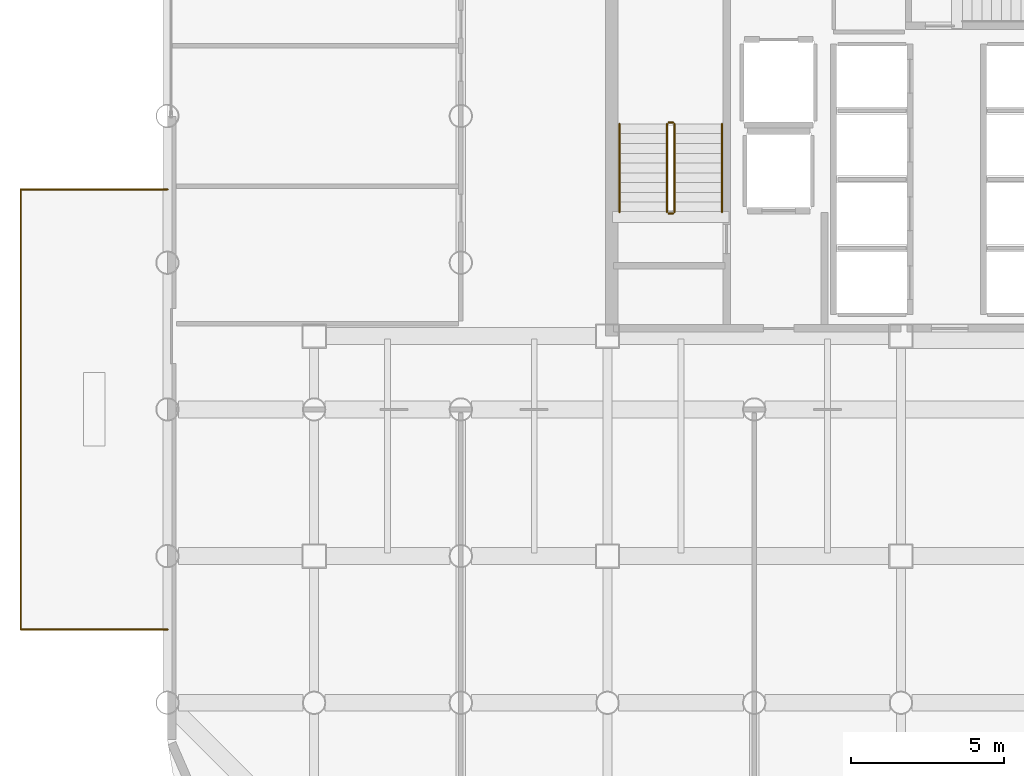
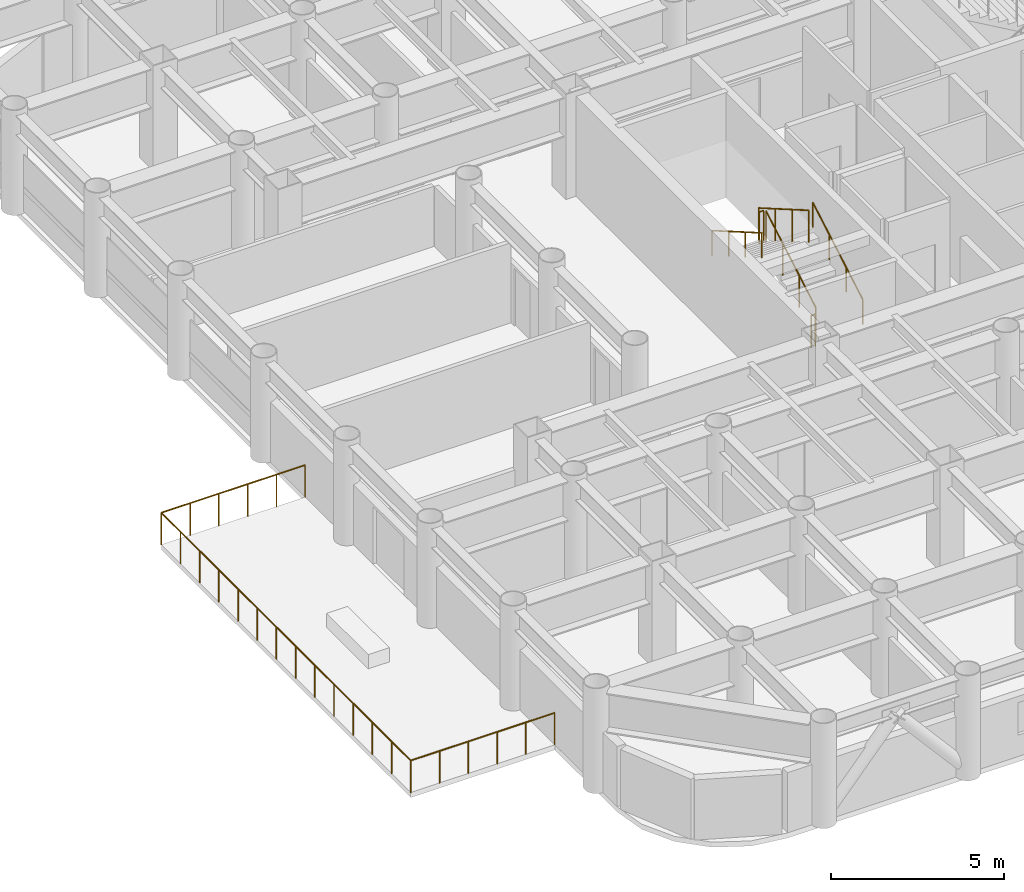
# One storey, part 21 of 22: 9 railings.
"""IFC4 building model written with IfcOpenShell, lengths in metres."""

from ifc_helpers import new_model, si_unit, direction, frame, origin, origin_2d, place, context, subcontext, project, spatial, circle, extrude, material, layer, layer_set, type_object, element, save


model = new_model("IFC4")

# Units and contexts
model_context = context("Model", 3, precision=1e-05, world=origin(), true_north=direction((0.0, 1.0)))
body_context = subcontext(model_context, "Body", "Model", "MODEL_VIEW")
ifc_project = project(units=[si_unit("LENGTHUNIT", "METRE"), si_unit("AREAUNIT", "SQUARE_METRE"), si_unit("VOLUMEUNIT", "CUBIC_METRE"), si_unit("PLANEANGLEUNIT", "RADIAN"), si_unit("MASSUNIT", "GRAM", prefix="KILO")], contexts=[model_context])

# Site, building, storey
site_placement = place(None, origin())
site = spatial("IfcSite", under=ifc_project, at=site_placement, CompositionType="ELEMENT")
building_placement = place(site_placement, origin())
building = spatial("IfcBuilding", under=site, at=building_placement, Name="Kallvorn Hotel Tower", CompositionType="ELEMENT")
storey_placement = place(building_placement, frame((0.0, 0.0, 59.60009765625)))
storey = spatial("IfcBuildingStorey", under=building, at=storey_placement, Name="L13", CompositionType="ELEMENT", Elevation=59.60009765625)

# Railings
ifc_material_1 = material(Name="Galvanised painted steel S275JR balustrade", Category="steel")
ifc_layer_1 = layer(ifc_material_1, 0.06005859375)
ifc_layer_set_1 = layer_set([ifc_layer_1], Name="RL_BALUSTRADE_1150")
railing_type_1 = type_object("IfcRailingType", Name="RL_BALUSTRADE_1150", PredefinedType="BALUSTRADE", material=ifc_layer_set_1)
railing_1_placement = place(storey_placement, frame((-28.800048828125, -16.800048828125, 0.0)))
element("IfcRailing", 1, at=railing_1_placement, inside=storey, type_object=railing_type_1, Name="L13 Exterior Safety Guardrail TER-L13-W-01", PredefinedType="BALUSTRADE", context=body_context, shape_type="SweptSolid", body=[
    extrude(circle(Radius=0.02392578125, at=origin_2d()), frame((0.0, 0.0, 1.1259765625), z_axis=(-1.0, 0.0, 0.0), x_axis=(0.0, -1.0, 0.0)), (0.0, 0.0, 1.0), 4.800048828125),
    extrude(circle(Radius=0.02099609375, at=origin_2d()), origin(), (0.0, 0.0, 1.0), 1.101806640625),
    extrude(circle(Radius=0.02099609375, at=origin_2d()), frame((-0.9599609375, 0.0, 0.0)), (0.0, 0.0, 1.0), 1.101806640625),
    extrude(circle(Radius=0.02099609375, at=origin_2d()), frame((-1.919921875, 0.0, 0.0)), (0.0, 0.0, 1.0), 1.101806640625),
    extrude(circle(Radius=0.02099609375, at=origin_2d()), frame((-2.880126953125, 0.0, 0.0)), (0.0, 0.0, 1.0), 1.101806640625),
    extrude(circle(Radius=0.02099609375, at=origin_2d()), frame((-3.840087890625, 0.0, 0.0)), (0.0, 0.0, 1.0), 1.101806640625),
    extrude(circle(Radius=0.02099609375, at=origin_2d()), frame((-4.800048828125, 0.0, 0.0)), (0.0, 0.0, 1.0), 1.101806640625),
])
railing_2_placement = place(storey_placement, frame((-33.60009765625, -16.800048828125, 0.0)))
element("IfcRailing", 2, at=railing_2_placement, inside=storey, type_object=railing_type_1, Name="L13 Exterior Safety Guardrail TER-L13-W-02", PredefinedType="BALUSTRADE", context=body_context, shape_type="SweptSolid", body=[
    extrude(circle(Radius=0.02392578125, at=origin_2d()), frame((0.0, 0.0, 1.1259765625), z_axis=(0.0, 1.0, 0.0), x_axis=(-1.0, 0.0, 0.0)), (0.0, 0.0, 1.0), 14.400146484375),
    extrude(circle(Radius=0.02099609375, at=origin_2d()), origin(), (0.0, 0.0, 1.0), 1.101806640625),
    extrude(circle(Radius=0.02099609375, at=origin_2d()), frame((0.0, 1.107666015625, 0.0)), (0.0, 0.0, 1.0), 1.101806640625),
    extrude(circle(Radius=0.02099609375, at=origin_2d()), frame((0.0, 2.21533203125, 0.0)), (0.0, 0.0, 1.0), 1.101806640625),
    extrude(circle(Radius=0.02099609375, at=origin_2d()), frame((0.0, 3.322998046875, 0.0)), (0.0, 0.0, 1.0), 1.101806640625),
    extrude(circle(Radius=0.02099609375, at=origin_2d()), frame((0.0, 4.430908203125, 0.0)), (0.0, 0.0, 1.0), 1.101806640625),
    extrude(circle(Radius=0.02099609375, at=origin_2d()), frame((0.0, 5.53857421875, 0.0)), (0.0, 0.0, 1.0), 1.101806640625),
    extrude(circle(Radius=0.02099609375, at=origin_2d()), frame((0.0, 6.646240234375, 0.0)), (0.0, 0.0, 1.0), 1.101806640625),
    extrude(circle(Radius=0.02099609375, at=origin_2d()), frame((0.0, 7.75390625, 0.0)), (0.0, 0.0, 1.0), 1.101806640625),
    extrude(circle(Radius=0.02099609375, at=origin_2d()), frame((0.0, 8.861572265625, 0.0)), (0.0, 0.0, 1.0), 1.101806640625),
    extrude(circle(Radius=0.02099609375, at=origin_2d()), frame((0.0, 9.96923828125, 0.0)), (0.0, 0.0, 1.0), 1.101806640625),
    extrude(circle(Radius=0.02099609375, at=origin_2d()), frame((0.0, 11.0771484375, 0.0)), (0.0, 0.0, 1.0), 1.101806640625),
    extrude(circle(Radius=0.02099609375, at=origin_2d()), frame((0.0, 12.184814453125, 0.0)), (0.0, 0.0, 1.0), 1.101806640625),
    extrude(circle(Radius=0.02099609375, at=origin_2d()), frame((0.0, 13.29248046875, 0.0)), (0.0, 0.0, 1.0), 1.101806640625),
    extrude(circle(Radius=0.02099609375, at=origin_2d()), frame((0.0, 14.400146484375, 0.0)), (0.0, 0.0, 1.0), 1.101806640625),
])
railing_3_placement = place(storey_placement, frame((-33.60009765625, -2.39990234375, 0.0)))
element("IfcRailing", 3, at=railing_3_placement, inside=storey, type_object=railing_type_1, Name="L13 Exterior Safety Guardrail TER-L13-W-03", PredefinedType="BALUSTRADE", context=body_context, shape_type="SweptSolid", body=[
    extrude(circle(Radius=0.02392578125, at=origin_2d()), frame((0.0, 0.0, 1.1259765625), z_axis=(1.0, 0.0, 0.0), x_axis=(0.0, 1.0, 0.0)), (0.0, 0.0, 1.0), 4.800048828125),
    extrude(circle(Radius=0.02099609375, at=origin_2d()), origin(), (0.0, 0.0, 1.0), 1.101806640625),
    extrude(circle(Radius=0.02099609375, at=origin_2d()), frame((0.9599609375, 0.0, 0.0)), (0.0, 0.0, 1.0), 1.101806640625),
    extrude(circle(Radius=0.02099609375, at=origin_2d()), frame((1.919921875, 0.0, 0.0)), (0.0, 0.0, 1.0), 1.101806640625),
    extrude(circle(Radius=0.02099609375, at=origin_2d()), frame((2.880126953125, 0.0, 0.0)), (0.0, 0.0, 1.0), 1.101806640625),
    extrude(circle(Radius=0.02099609375, at=origin_2d()), frame((3.840087890625, 0.0, 0.0)), (0.0, 0.0, 1.0), 1.101806640625),
    extrude(circle(Radius=0.02099609375, at=origin_2d()), frame((4.800048828125, 0.0, 0.0)), (0.0, 0.0, 1.0), 1.101806640625),
])
ifc_material_2 = material(Name="Brushed stainless-steel tubular railing", Category="steel")
ifc_layer_2 = layer(ifc_material_2, 0.050048828125)
ifc_layer_set_2 = layer_set([ifc_layer_2], Name="RL_STAIR_GUARD")
railing_type_2 = type_object("IfcRailingType", Name="RL_STAIR_GUARD", PredefinedType="GUARDRAIL", material=ifc_layer_set_2)
railing_4_placement = place(storey_placement, frame((-12.2099609375, -3.139892578125, 0.184814453125)))
element("IfcRailing", 4, at=railing_4_placement, inside=storey, type_object=railing_type_2, Name="L13 ST1 stair guard 1", PredefinedType="GUARDRAIL", context=body_context, shape_type="SweptSolid", body=[
    extrude(circle(Radius=0.02392578125, at=origin_2d()), frame((0.0, 0.0, 1.1259765625), z_axis=(0.0, 0.865720918037, 0.500527014328), x_axis=(-1.0, 0.0, 0.0)), (0.0, 0.0, 1.0), 3.32666015625),
    extrude(circle(Radius=0.02099609375, at=origin_2d()), origin(), (0.0, 0.0, 1.0), 1.101806640625),
    extrude(circle(Radius=0.02099609375, at=origin_2d()), frame((0.0, 0.9599609375, 0.554931640625)), (0.0, 0.0, 1.0), 1.101806640625),
    extrude(circle(Radius=0.02099609375, at=origin_2d()), frame((0.0, 1.919921875, 1.110107421875)), (0.0, 0.0, 1.0), 1.101806640625),
    extrude(circle(Radius=0.02099609375, at=origin_2d()), frame((0.0, 2.8798828125, 1.6650390625)), (0.0, 0.0, 1.0), 1.101806640625),
])
railing_5_placement = place(storey_placement, frame((-12.260009765625, -0.2099609375, 1.849853515625)))
element("IfcRailing", 5, at=railing_5_placement, inside=storey, type_object=railing_type_2, Name="L13 ST1 stair guard 2", PredefinedType="GUARDRAIL", context=body_context, shape_type="SweptSolid", body=[
    extrude(circle(Radius=0.02392578125, at=origin_2d()), frame((0.0, 0.0, 1.1259765625), z_axis=(-1.0, 0.0, 0.0), x_axis=(0.0, -1.0, 0.0)), (0.0, 0.0, 1.0), 0.139892578125),
    extrude(circle(Radius=0.02099609375, at=origin_2d()), origin(), (0.0, 0.0, 1.0), 1.101806640625),
    extrude(circle(Radius=0.02099609375, at=origin_2d()), frame((-0.139892578125, 0.0, 0.0)), (0.0, 0.0, 1.0), 1.101806640625),
])
railing_6_placement = place(storey_placement, frame((-12.449951171875, -0.260009765625, 2.034912109375)))
element("IfcRailing", 6, at=railing_6_placement, inside=storey, type_object=railing_type_2, Name="L13 ST1 stair guard 3", PredefinedType="GUARDRAIL", context=body_context, shape_type="SweptSolid", body=[
    extrude(circle(Radius=0.02392578125, at=origin_2d()), frame((0.0, 0.0, 1.1259765625), z_axis=(0.0, -0.865720918037, 0.500527014328), x_axis=(1.0, 0.0, 0.0)), (0.0, 0.0, 1.0), 3.32666015625),
    extrude(circle(Radius=0.02099609375, at=origin_2d()), origin(), (0.0, 0.0, 1.0), 1.101806640625),
    extrude(circle(Radius=0.02099609375, at=origin_2d()), frame((0.0, -0.9599609375, 0.554931640625)), (0.0, 0.0, 1.0), 1.101806640625),
    extrude(circle(Radius=0.02099609375, at=origin_2d()), frame((0.0, -1.919921875, 1.110107421875)), (0.0, 0.0, 1.0), 1.101806640625),
    extrude(circle(Radius=0.02099609375, at=origin_2d()), frame((0.0, -2.8798828125, 1.6650390625)), (0.0, 0.0, 1.0), 1.101806640625),
])
railing_7_placement = place(storey_placement, frame((-12.260009765625, -3.18994140625, 0.0)))
element("IfcRailing", 7, at=railing_7_placement, inside=storey, type_object=railing_type_2, Name="L13 ST1 stair guard 4", PredefinedType="GUARDRAIL", context=body_context, shape_type="SweptSolid", body=[
    extrude(circle(Radius=0.02392578125, at=origin_2d()), frame((0.0, 0.0, 1.1259765625), z_axis=(-1.0, 0.0, 0.0), x_axis=(0.0, -1.0, 0.0)), (0.0, 0.0, 1.0), 0.139892578125),
    extrude(circle(Radius=0.02099609375, at=origin_2d()), origin(), (0.0, 0.0, 1.0), 1.101806640625),
    extrude(circle(Radius=0.02099609375, at=origin_2d()), frame((-0.139892578125, 0.0, 0.0)), (0.0, 0.0, 1.0), 1.101806640625),
])
ifc_material_3 = material(Name="Brushed stainless-steel tubular railing", Category="steel")
ifc_layer_3 = layer(ifc_material_3, 0.050048828125)
ifc_layer_set_3 = layer_set([ifc_layer_3], Name="RL_STAIR_HAND")
railing_type_3 = type_object("IfcRailingType", Name="RL_STAIR_HAND", PredefinedType="HANDRAIL", material=ifc_layer_set_3)
railing_8_placement = place(storey_placement, frame((-10.64990234375, -3.139892578125, 0.184814453125)))
element("IfcRailing", 8, at=railing_8_placement, inside=storey, type_object=railing_type_3, Name="L13 ST1 stair handrail 1", PredefinedType="HANDRAIL", context=body_context, shape_type="SweptSolid", body=[
    extrude(circle(Radius=0.02392578125, at=origin_2d()), frame((0.0, 0.0, 0.8759765625), z_axis=(0.0, 0.865720918037, 0.500527014328), x_axis=(-1.0, 0.0, 0.0)), (0.0, 0.0, 1.0), 3.32666015625),
    extrude(circle(Radius=0.02099609375, at=origin_2d()), origin(), (0.0, 0.0, 1.0), 0.851806640625),
    extrude(circle(Radius=0.02099609375, at=origin_2d()), frame((0.0, 0.9599609375, 0.554931640625)), (0.0, 0.0, 1.0), 0.851806640625),
    extrude(circle(Radius=0.02099609375, at=origin_2d()), frame((0.0, 1.919921875, 1.110107421875)), (0.0, 0.0, 1.0), 0.851806640625),
    extrude(circle(Radius=0.02099609375, at=origin_2d()), frame((0.0, 2.8798828125, 1.6650390625)), (0.0, 0.0, 1.0), 0.851806640625),
])
railing_9_placement = place(storey_placement, frame((-14.010009765625, -0.260009765625, 2.034912109375)))
element("IfcRailing", 9, at=railing_9_placement, inside=storey, type_object=railing_type_3, Name="L13 ST1 stair handrail 2", PredefinedType="HANDRAIL", context=body_context, shape_type="SweptSolid", body=[
    extrude(circle(Radius=0.02392578125, at=origin_2d()), frame((0.0, 0.0, 0.8759765625), z_axis=(0.0, -0.865720918037, 0.500527014328), x_axis=(1.0, 0.0, 0.0)), (0.0, 0.0, 1.0), 3.32666015625),
    extrude(circle(Radius=0.02099609375, at=origin_2d()), origin(), (0.0, 0.0, 1.0), 0.851806640625),
    extrude(circle(Radius=0.02099609375, at=origin_2d()), frame((0.0, -0.9599609375, 0.554931640625)), (0.0, 0.0, 1.0), 0.851806640625),
    extrude(circle(Radius=0.02099609375, at=origin_2d()), frame((0.0, -1.919921875, 1.110107421875)), (0.0, 0.0, 1.0), 0.851806640625),
    extrude(circle(Radius=0.02099609375, at=origin_2d()), frame((0.0, -2.8798828125, 1.6650390625)), (0.0, 0.0, 1.0), 0.851806640625),
])

save(model, "model.ifc")
